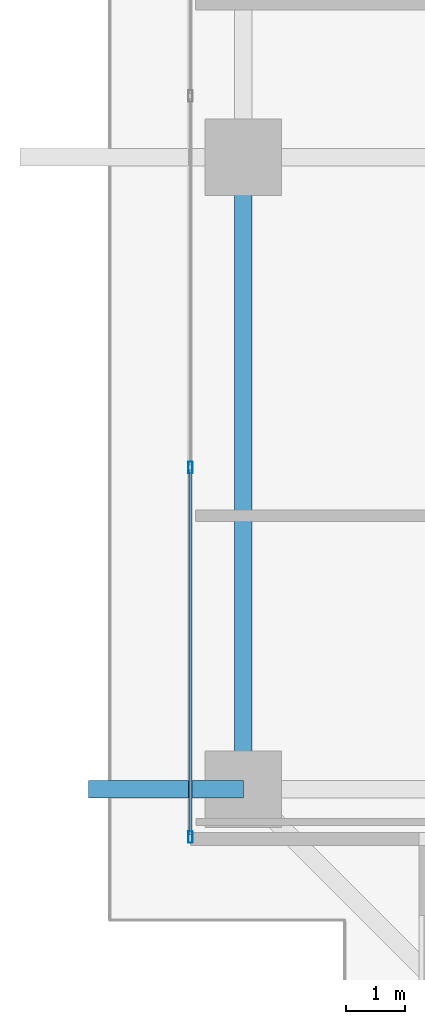
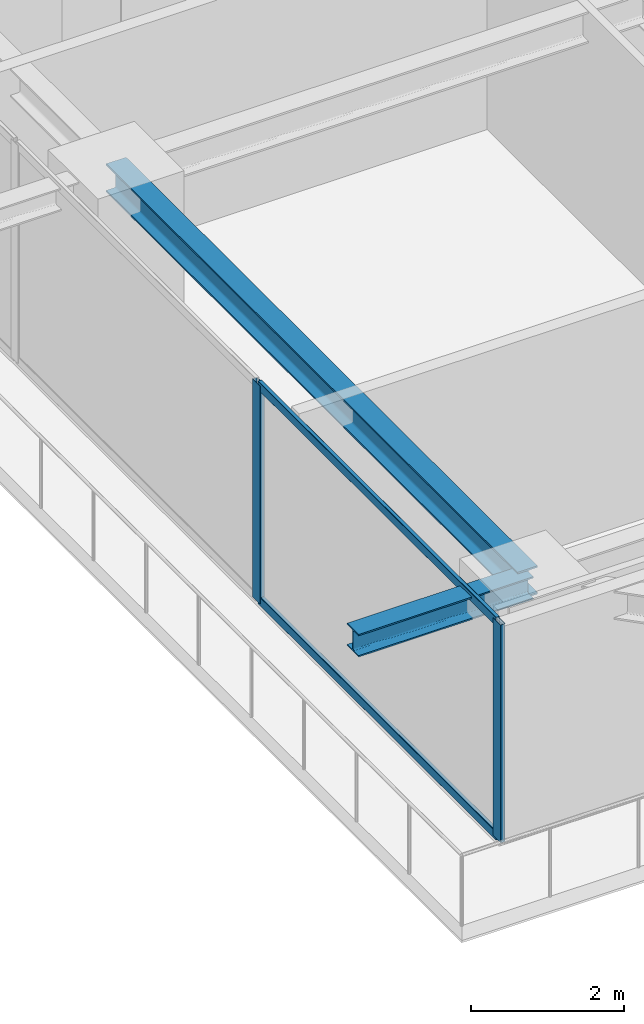
# One storey, part 3 of 33: 4 members, 2 beams, 1 element without a shape of its own.
"""IFC4 building model written with IfcOpenShell, lengths in metres."""

from ifc_helpers import new_model, si_unit, direction, frame, origin, origin_2d, place, context, subcontext, project, spatial, hollow_rectangle, i_section, extrude, source, transform, mapped, material, layer, layer_set, material_profile, profile_set, type_object, element, aggregate, save


model = new_model("IFC4")

# Units and contexts
model_context = context("Model", 3, precision=1e-05, world=origin(), true_north=direction((0.0, 1.0)))
body_context = subcontext(model_context, "Body", "Model", "MODEL_VIEW")
ifc_project = project(units=[si_unit("LENGTHUNIT", "METRE"), si_unit("AREAUNIT", "SQUARE_METRE"), si_unit("VOLUMEUNIT", "CUBIC_METRE"), si_unit("PLANEANGLEUNIT", "RADIAN"), si_unit("MASSUNIT", "GRAM", prefix="KILO")], contexts=[model_context])

# Site, building, storey
site_placement = place(None, origin())
site = spatial("IfcSite", under=ifc_project, at=site_placement, CompositionType="ELEMENT")
building_placement = place(site_placement, origin())
building = spatial("IfcBuilding", under=site, at=building_placement, Name="Serunith Strait Residences", CompositionType="ELEMENT")
storey_placement = place(building_placement, frame((0.0, 0.0, 165.14990234375)))
storey = spatial("IfcBuildingStorey", under=building, at=storey_placement, Name="L41", CompositionType="ELEMENT", Elevation=165.14990234375)

# Beams
ifc_material_1 = material(Name="Steel S355J2", Category="steel")
ifc_material_profile_1 = material_profile(ifc_material_1, i_section(OverallWidth=0.300048828125, OverallDepth=0.449951171875, WebThickness=0.013916015625, FlangeThickness=0.02587890625, FilletRadius=0.027099609375, at=origin_2d()), Name="HEB 450")
ifc_profile_set_1 = profile_set([ifc_material_profile_1], Name="Steel S355J2")
beam_type_1 = type_object("IfcBeamType", Name="BM-HEB450", PredefinedType="BEAM", material=ifc_profile_set_1)
shared_shape_1 = source(origin(), body_context, "Body", "SweptSolid", [
    extrude(i_section(OverallWidth=0.300048828125, OverallDepth=0.449951171875, WebThickness=0.013916015625, FlangeThickness=0.02587890625, FilletRadius=0.027099609375, at=origin_2d()), origin(), (0.0, 0.0, 1.0), 10.75),
])
beam_1_placement = place(storey_placement, frame((8.699951171875, 21.0, 3.26220703125), z_axis=(0.0, -1.0, 0.0), x_axis=(1.0, 0.0, 0.0)))
element("IfcBeam", 1, at=beam_1_placement, inside=storey, type_object=beam_type_1, Name="L41 Perimeter Ring Beam 15", PredefinedType="BEAM", context=body_context, shape_type="MappedRepresentation", body=[
    mapped(shared_shape_1, transform((0.0, 0.0, 0.0), scale=1.0)),
])
ifc_material_profile_2 = material_profile(ifc_material_1, i_section(OverallWidth=0.300048828125, OverallDepth=0.360107421875, WebThickness=0.012451171875, FlangeThickness=0.0224609375, FilletRadius=0.027099609375, at=origin_2d()), Name="HEB 360")
ifc_profile_set_2 = profile_set([ifc_material_profile_2], Name="Steel S355J2")
beam_type_2 = type_object("IfcBeamType", Name="BM-HEB360", PredefinedType="BEAM", material=ifc_profile_set_2)
shared_shape_2 = source(origin(), body_context, "Body", "SweptSolid", [
    extrude(i_section(OverallWidth=0.300048828125, OverallDepth=0.360107421875, WebThickness=0.012451171875, FlangeThickness=0.0224609375, FilletRadius=0.027099609375, at=origin_2d()), origin(), (0.0, 0.0, 1.0), 2.634521484375),
])
beam_2_placement = place(storey_placement, frame((8.699951171875, 10.25, 3.277099609375), z_axis=(-1.0, 0.0, 0.0), x_axis=(0.0, -1.0, 0.0)))
element("IfcBeam", 2, at=beam_2_placement, inside=storey, type_object=beam_type_2, Name="L42 Cantilevered Balcony Rib TC-W1", PredefinedType="BEAM", context=body_context, shape_type="MappedRepresentation", body=[
    mapped(shared_shape_2, transform((0.0, 0.0, 0.0), scale=1.0)),
])

# Curtain wall, members
ifc_material_2 = material(Name="Pale-Champagne Anodised Aluminium", Category="aluminium")
ifc_layer = layer(ifc_material_2, 0.199951171875, Name="Pale-Champagne Anodised Aluminium")
ifc_layer_set = layer_set([ifc_layer], Name="Pale-Champagne Anodised Aluminium")
curtain_wall_type = type_object("IfcCurtainWallType", Name="CW-SYS2", PredefinedType="NOTDEFINED", material=ifc_layer_set)
curtain_wall_placement = place(storey_placement, origin())
curtain_wall = element("IfcCurtainWall", 3, at=curtain_wall_placement, inside=storey, type_object=curtain_wall_type, Name="L41 W Unitised Fritted Curtain Wall", PredefinedType="NOTDEFINED")
ifc_material_profile_3 = material_profile(ifc_material_2, hollow_rectangle(XDim=0.070068359375, YDim=0.199951171875, WallThickness=0.00390625, InnerFilletRadius=0.006103515625, OuterFilletRadius=0.010009765625, at=origin_2d()), Name="ALU 200x70x4")
ifc_profile_set_3 = profile_set([ifc_material_profile_3], Name="Pale-Champagne Anodised Aluminium")
member_type_1 = type_object("IfcMemberType", Name="CW-SYS2-MULL", PredefinedType="MULLION", material=ifc_profile_set_3)
shared_shape_3 = source(origin(), body_context, "Body", "SweptSolid", [
    extrude(hollow_rectangle(XDim=0.070068359375, YDim=0.199951171875, WallThickness=0.00390625, InnerFilletRadius=0.006103515625, OuterFilletRadius=0.010009765625, at=origin_2d()), origin(), (0.0, 0.0, 1.0), 3.47509765625),
])
member_1_placement = place(storey_placement, frame((7.800048828125, 15.719970703125, 0.0), z_axis=(0.0, 0.0, 1.0), x_axis=(1.0, 0.0, 0.0)))
member_1 = element("IfcMember", 4, at=member_1_placement, type_object=member_type_1, Name="CW-2 mullion 5", PredefinedType="MULLION", context=body_context, shape_type="MappedRepresentation", body=[
    mapped(shared_shape_3, transform((0.0, 0.0, 0.0), scale=1.0)),
])
member_2_placement = place(storey_placement, frame((7.800048828125, 9.43505859375, 0.0), z_axis=(0.0, 0.0, 1.0), x_axis=(1.0, 0.0, 0.0)))
member_2 = element("IfcMember", 5, at=member_2_placement, type_object=member_type_1, Name="CW-2 mullion 6", PredefinedType="MULLION", context=body_context, shape_type="MappedRepresentation", body=[
    mapped(shared_shape_3, transform((0.0, 0.0, 0.0), scale=1.0)),
])
ifc_material_profile_4 = material_profile(ifc_material_2, hollow_rectangle(XDim=0.06005859375, YDim=0.139892578125, WallThickness=0.00341796875, InnerFilletRadius=0.00537109375, OuterFilletRadius=0.0087890625, at=origin_2d()), Name="ALU 140x60x3.5")
ifc_profile_set_4 = profile_set([ifc_material_profile_4], Name="Pale-Champagne Anodised Aluminium")
member_type_2 = type_object("IfcMemberType", Name="CW-SYS2-TRAN", PredefinedType="USERDEFINED", material=ifc_profile_set_4)
shared_shape_4 = source(origin(), body_context, "Body", "SweptSolid", [
    extrude(hollow_rectangle(XDim=0.06005859375, YDim=0.139892578125, WallThickness=0.00341796875, InnerFilletRadius=0.00537109375, OuterFilletRadius=0.0087890625, at=origin_2d()), origin(), (0.0, 0.0, 1.0), 6.215087890625),
])
member_3_placement = place(storey_placement, frame((7.800048828125, 15.68505859375, 0.030029296875), z_axis=(0.0, -1.0, 0.0), x_axis=(1.0, 0.0, 0.0)))
member_3 = element("IfcMember", 6, at=member_3_placement, type_object=member_type_2, Name="CW-2 transom 5.1", ObjectType="TRANSOM", PredefinedType="USERDEFINED", context=body_context, shape_type="MappedRepresentation", body=[
    mapped(shared_shape_4, transform((0.0, 0.0, 0.0), scale=1.0)),
])
member_4_placement = place(storey_placement, frame((7.800048828125, 15.68505859375, 3.445068359375), z_axis=(0.0, -1.0, 0.0), x_axis=(1.0, 0.0, 0.0)))
member_4 = element("IfcMember", 7, at=member_4_placement, type_object=member_type_2, Name="CW-2 transom 5.2", ObjectType="TRANSOM", PredefinedType="USERDEFINED", context=body_context, shape_type="MappedRepresentation", body=[
    mapped(shared_shape_4, transform((0.0, 0.0, 0.0), scale=1.0)),
])
aggregate(curtain_wall, [member_1, member_2, member_3, member_4])

save(model, "model.ifc")
